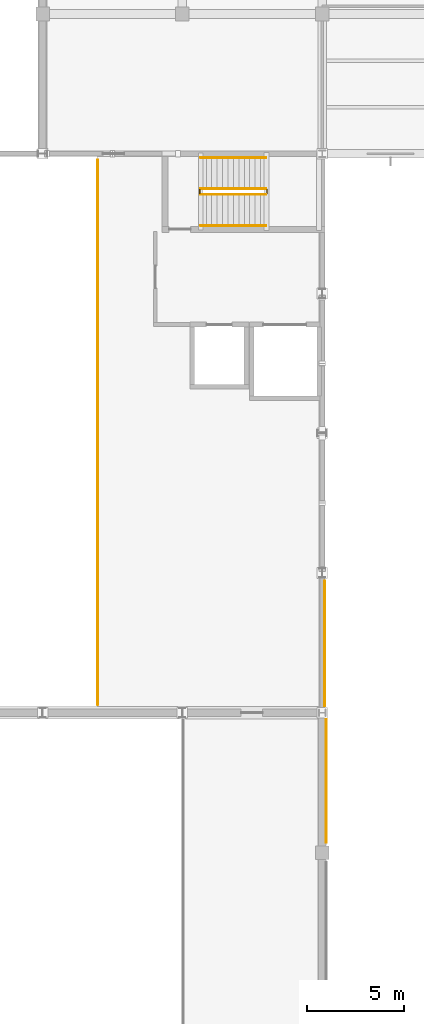
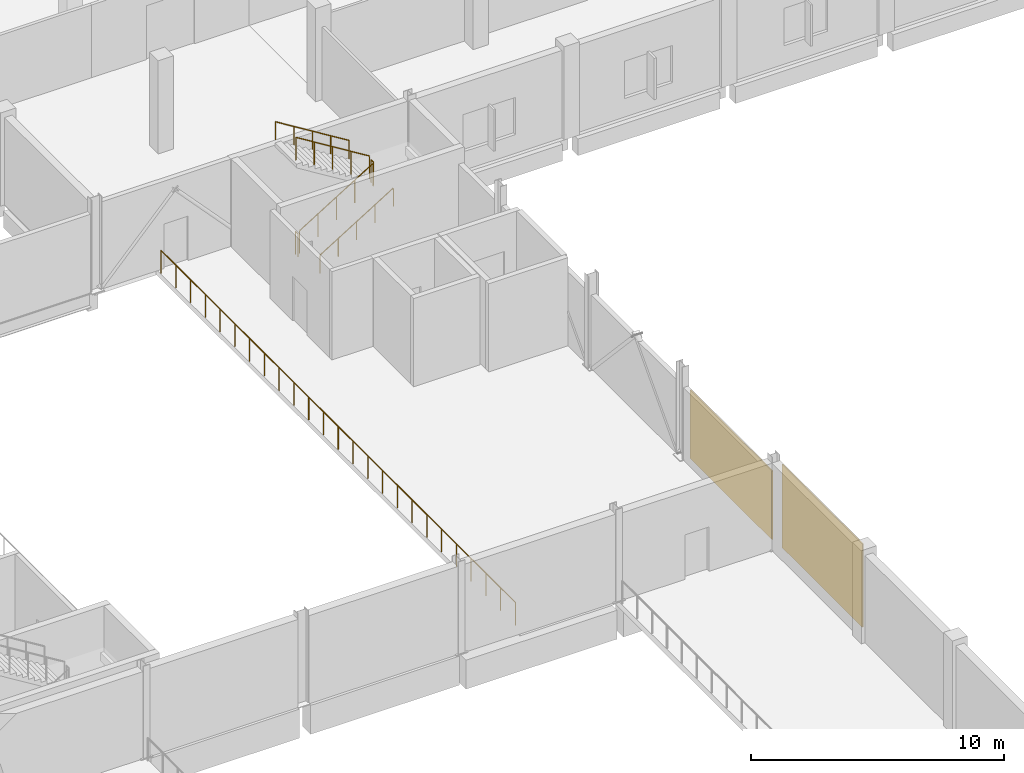
# One storey, part 105 of 108: 7 railings, 2 coverings.
"""IFC4 building model written with IfcOpenShell, lengths in metres."""

import ifcopenshell
import ifcopenshell.guid

model = None  # the IFC model being written
_history = None  # IfcOwnerHistory: only IFC2X3 demands one
_inside = {}  # id of a spatial element -> (the spatial element, [elements in it])
_under = {}  # id of a project, library or spatial element -> (it, [spatial elements below it])
_declared = {}  # id of a project -> (the project, [libraries it declares])
_typed = {}  # id of a type object -> (the type object, [elements of that type])
_made_of = {}  # id of a material, layer set ... -> (it, [elements and type objects made of it])


def new_model(schema):
    """Start an empty IFC model of exactly this schema.

    Asked for "IFC4X3", IfcOpenShell would pick the latest addendum, in which some entities
    have other attributes; the version numbers below select the first issue.
    IFC2X3 requires an IfcOwnerHistory on every rooted entity: one is made here for all.
    """
    global model, _history
    if schema == "IFC4X3":
        model = ifcopenshell.file(schema_version=(4, 3, 0, 0))
    else:
        model = ifcopenshell.file(schema=schema)
    _inside.clear()
    _under.clear()
    _declared.clear()
    _typed.clear()
    _made_of.clear()
    _history = None
    if model.schema == "IFC2X3":
        org = make("IfcOrganization", Name="unknown")
        user = make(
            "IfcPersonAndOrganization",
            ThePerson=make("IfcPerson", FamilyName="unknown"),
            TheOrganization=org,
        )
        app = make(
            "IfcApplication",
            ApplicationDeveloper=org,
            Version="unknown",
            ApplicationFullName="unknown",
            ApplicationIdentifier="unknown",
        )
        _history = make(
            "IfcOwnerHistory",
            OwningUser=user,
            OwningApplication=app,
            ChangeAction="ADDED",
            CreationDate=0,
        )
    return model


def make(cls, **values):
    """One entity of the class cls with the attributes given. An attribute that is None is left unset."""
    return model.create_entity(
        cls, **{name: value for name, value in values.items() if value is not None}
    )


def rooted(cls, **values):
    """An entity with a GlobalId (a new one), such as an element, a storey or a relation."""
    return make(cls, GlobalId=ifcopenshell.guid.new(), OwnerHistory=_history, **values)


def si_unit(unit_type, name, prefix=None):
    """IfcSIUnit, for example si_unit("LENGTHUNIT", "METRE", prefix="MILLI")."""
    return make("IfcSIUnit", UnitType=unit_type, Prefix=prefix, Name=name)


def assignment(units):
    """IfcUnitAssignment: the units of a project."""
    return None if units is None else make("IfcUnitAssignment", Units=units)


def point(xyz):
    """IfcCartesianPoint."""
    return None if xyz is None else make("IfcCartesianPoint", Coordinates=xyz)


def direction(xyz):
    """IfcDirection."""
    return None if xyz is None else make("IfcDirection", DirectionRatios=xyz)


def frame(location, z_axis=None, x_axis=None):
    """IfcAxis2Placement3D, a coordinate frame: its origin and axes. An axis left out is left unset."""
    return make(
        "IfcAxis2Placement3D",
        Location=point(location),
        Axis=direction(z_axis),
        RefDirection=direction(x_axis),
    )


def frame_2d(location, x_axis=None):
    """IfcAxis2Placement2D, a coordinate frame in the plane: its origin and x axis."""
    return make(
        "IfcAxis2Placement2D", Location=point(location), RefDirection=direction(x_axis)
    )


def origin():
    """The frame at (0, 0, 0) with its axes left unset."""
    return frame((0.0, 0.0, 0.0))


def origin_2d():
    """The frame at (0, 0) in the plane with its x axis left unset."""
    return frame_2d((0.0, 0.0))


def place(relative_to, where):
    """IfcLocalPlacement: puts the frame where relative to a parent placement (None: the world)."""
    return make(
        "IfcLocalPlacement", PlacementRelTo=relative_to, RelativePlacement=where
    )


def context(
    kind, dimensions, precision=None, world=None, true_north=None, identifier=None
):
    """IfcGeometricRepresentationContext, for example the 3D "Model" context."""
    return make(
        "IfcGeometricRepresentationContext",
        ContextIdentifier=identifier,
        ContextType=kind,
        CoordinateSpaceDimension=dimensions,
        Precision=precision,
        WorldCoordinateSystem=world,
        TrueNorth=true_north,
    )


def subcontext(parent, identifier, kind, view, scale=None):
    """IfcGeometricRepresentationSubContext, for example "Body" below "Model"."""
    return make(
        "IfcGeometricRepresentationSubContext",
        ContextIdentifier=identifier,
        ContextType=kind,
        ParentContext=parent,
        TargetScale=scale,
        TargetView=view,
    )


def project(units=None, contexts=None):
    """IfcProject with its units and contexts."""
    return rooted(
        "IfcProject",
        Name="project",
        RepresentationContexts=contexts,
        UnitsInContext=assignment(units),
    )


def spatial(cls, under=None, at=None, **own):
    """A site, building, storey or space (cls), placed at a placement, below another one or the project."""
    s = rooted(cls, ObjectPlacement=at, **own)
    if under is not None:
        _under.setdefault(under.id(), (under, []))[1].append(s)
    return s


def profile(cls, at=None, kind="AREA", **sizes):
    """A parametric profile (cls). Its sizes go by their IFC names, for example OverallWidth=200.0."""
    return make(cls, ProfileType=kind, Position=at, **sizes)


def rectangle(**sizes):
    """IfcRectangleProfileDef."""
    return profile("IfcRectangleProfileDef", **sizes)


def circle(**sizes):
    """IfcCircleProfileDef."""
    return profile("IfcCircleProfileDef", **sizes)


def extrude(swept, where, along, depth):
    """IfcExtrudedAreaSolid: the profile swept, set in the frame where, extruded along a direction by depth."""
    return make(
        "IfcExtrudedAreaSolid",
        SweptArea=swept,
        Position=where,
        ExtrudedDirection=direction(along),
        Depth=depth,
    )


def shape(context_of_items, identifier, shape_type, items):
    """IfcShapeRepresentation: the items that make up one representation, for example the "Body"."""
    return make(
        "IfcShapeRepresentation",
        ContextOfItems=context_of_items,
        RepresentationIdentifier=identifier,
        RepresentationType=shape_type,
        Items=items,
    )


def material(Name=None, Category=None):
    """IfcMaterial."""
    return make("IfcMaterial", Name=Name, Category=Category)


def layer(
    of_material, thickness, ventilated=None, Name=None, Category=None, Priority=None
):
    """IfcMaterialLayer: one layer of a wall or slab, of a material (None: an air gap)."""
    return make(
        "IfcMaterialLayer",
        Material=of_material,
        LayerThickness=thickness,
        IsVentilated=ventilated,
        Name=Name,
        Category=Category,
        Priority=Priority,
    )


def layer_set(layers, Name=None):
    """IfcMaterialLayerSet."""
    return make("IfcMaterialLayerSet", MaterialLayers=layers, LayerSetName=Name)


def made_of(thing, what):
    """Note that an element or type object is made of a material, layer set ...; save() writes the relation."""
    if what is not None:
        _made_of.setdefault(what.id(), (what, []))[1].append(thing)
    return thing


def type_object(cls, material=None, **own):
    """A type object (cls), such as IfcWallType, which elements share."""
    return made_of(rooted(cls, **own), material)


def element(
    cls,
    number,
    at=None,
    inside=None,
    cuts=None,
    type_object=None,
    material=None,
    context=None,
    identifier="Body",
    shape_type=None,
    held_by="IfcProductDefinitionShape",
    body=None,
    shapes=None,
    **own,
):
    """One element of the class cls, such as IfcWall. Its Tag is "e" and its number.

    at: its placement. inside: the storey or other place that contains it. cuts: it is an
    opening in that element (IfcRelVoidsElement). A single representation is given by context,
    identifier, shape_type and body (its items); several are given by shapes. held_by: the class
    of the entity that holds the representations. save() writes the other relations.
    """
    e = rooted(cls, Tag="e%d" % number, ObjectPlacement=at, **own)
    if body is not None:
        shapes = [shape(context, identifier, shape_type, body)]
    if shapes is not None:
        e.Representation = make(held_by, Representations=shapes)
    if inside is not None:
        _inside.setdefault(inside.id(), (inside, []))[1].append(e)
    if cuts is not None:
        rooted(
            "IfcRelVoidsElement", RelatingBuildingElement=cuts, RelatedOpeningElement=e
        )
    if type_object is not None:
        _typed.setdefault(type_object.id(), (type_object, []))[1].append(e)
    return made_of(e, material)


def aggregate(whole, parts):
    """IfcRelAggregates: a whole, such as a stair, and the parts it consists of."""
    return rooted("IfcRelAggregates", RelatingObject=whole, RelatedObjects=parts)


def save(model, path):
    """Write the relations noted so far, then the file.

    IfcRelAggregates (storeys below a building ...), IfcRelContainedInSpatialStructure (elements
    in a storey), IfcRelDefinesByType, IfcRelAssociatesMaterial and IfcRelDeclares: one each for
    every whole, place, type object, material and project.
    """
    for whole, parts in _under.values():
        aggregate(whole, parts)
    for where, things in _inside.values():
        rooted(
            "IfcRelContainedInSpatialStructure",
            RelatedElements=things,
            RelatingStructure=where,
        )
    for kind, things in _typed.values():
        rooted("IfcRelDefinesByType", RelatedObjects=things, RelatingType=kind)
    for what, things in _made_of.values():
        rooted("IfcRelAssociatesMaterial", RelatedObjects=things, RelatingMaterial=what)
    for by, libraries in _declared.values():
        rooted("IfcRelDeclares", RelatingContext=by, RelatedDefinitions=libraries)
    model.write(path)


model = new_model("IFC4")

# Units and contexts
model_context = context("Model", 3, precision=1e-05, world=origin(), true_north=direction((0.0, 1.0)))
body_context = subcontext(model_context, "Body", "Model", "MODEL_VIEW")
ifc_project = project(units=[si_unit("LENGTHUNIT", "METRE"), si_unit("AREAUNIT", "SQUARE_METRE"), si_unit("VOLUMEUNIT", "CUBIC_METRE"), si_unit("PLANEANGLEUNIT", "RADIAN"), si_unit("MASSUNIT", "GRAM", prefix="KILO"), si_unit("THERMODYNAMICTEMPERATUREUNIT", "KELVIN"), si_unit("POWERUNIT", "WATT")], contexts=[model_context])

# Site, building, storey
site_placement = place(None, origin())
site = spatial("IfcSite", under=ifc_project, at=site_placement, CompositionType="ELEMENT")
building_placement = place(site_placement, origin())
building = spatial("IfcBuilding", under=site, at=building_placement, Name="Kaldorven Railside Theatre", CompositionType="ELEMENT")
storey_placement = place(building_placement, frame((0.0, 0.0, 5.39990234375)))
storey = spatial("IfcBuildingStorey", under=building, at=storey_placement, Name="L01", CompositionType="ELEMENT", Elevation=5.39990234375)

# Coverings
ifc_material_1 = material(Name="Bush-hammered precast concrete C40/50", Category="concrete")
ifc_layer = layer(ifc_material_1, 0.050048828125, Name="Bush-hammered precast concrete C40/50")
ifc_layer_set = layer_set([ifc_layer], Name="Bush-hammered precast concrete C40/50")
covering_type = type_object("IfcCoveringType", Name="COV-CLD-01", PredefinedType="CLADDING", material=ifc_layer_set)
covering_1_placement = place(storey_placement, frame((123.410888671875, 80.48193359375, 0.10009765625), z_axis=(0.0, 0.0, 1.0), x_axis=(0.0, -1.0, 0.0)))
element("IfcCovering", 1, at=covering_1_placement, inside=storey, type_object=covering_type, Name="Bush-Hammered Laterite Rainscreen Panel CLD-007", PredefinedType="CLADDING", context=body_context, shape_type="SweptSolid", body=[
    extrude(rectangle(XDim=6.364013671875, YDim=0.050048828125, at=origin_2d()), origin(), (0.0, 0.0, 1.0), 4.02001953125),
])
covering_2_placement = place(storey_placement, frame((123.3310546875, 87.568115234375, 0.10009765625), z_axis=(0.0, 0.0, 1.0), x_axis=(0.0, -1.0, 0.0)))
element("IfcCovering", 2, at=covering_2_placement, inside=storey, type_object=covering_type, Name="Bush-Hammered Laterite Rainscreen Panel CLD-036", PredefinedType="CLADDING", context=body_context, shape_type="SweptSolid", body=[
    extrude(rectangle(XDim=6.464111328125, YDim=0.050048828125, at=origin_2d()), origin(), (0.0, 0.0, 1.0), 3.31494140625),
])

# Railings
ifc_material_2 = material(Name="Anodised bronze aluminium", Category="aluminium")
railing_type_1 = type_object("IfcRailingType", Name="RLG-BAL-1100", PredefinedType="BALUSTRADE", material=ifc_material_2)
railing_1_placement = place(storey_placement, frame((111.639892578125, 84.419921875, 0.0)))
element("IfcRailing", 3, at=railing_1_placement, inside=storey, type_object=railing_type_1, Name="L01 Safety Balustrade GR-040", PredefinedType="BALUSTRADE", context=body_context, shape_type="SweptSolid", body=[
    extrude(circle(Radius=0.02392578125, at=origin_2d()), frame((0.0, 0.0, 1.09619140625), z_axis=(0.0, 1.0, 0.0), x_axis=(-1.0, 0.0, 0.0)), (0.0, 0.0, 1.0), 28.050048828125),
    extrude(circle(Radius=0.02099609375, at=origin_2d()), origin(), (0.0, 0.0, 1.0), 1.072021484375),
    extrude(circle(Radius=0.02099609375, at=origin_2d()), frame((0.0, 1.168701171875, 0.0)), (0.0, 0.0, 1.0), 1.072021484375),
    extrude(circle(Radius=0.02099609375, at=origin_2d()), frame((0.0, 2.33740234375, 0.0)), (0.0, 0.0, 1.0), 1.072021484375),
    extrude(circle(Radius=0.02099609375, at=origin_2d()), frame((0.0, 3.50634765625, 0.0)), (0.0, 0.0, 1.0), 1.072021484375),
    extrude(circle(Radius=0.02099609375, at=origin_2d()), frame((0.0, 4.675048828125, 0.0)), (0.0, 0.0, 1.0), 1.072021484375),
    extrude(circle(Radius=0.02099609375, at=origin_2d()), frame((0.0, 5.84375, 0.0)), (0.0, 0.0, 1.0), 1.072021484375),
    extrude(circle(Radius=0.02099609375, at=origin_2d()), frame((0.0, 7.012451171875, 0.0)), (0.0, 0.0, 1.0), 1.072021484375),
    extrude(circle(Radius=0.02099609375, at=origin_2d()), frame((0.0, 8.18115234375, 0.0)), (0.0, 0.0, 1.0), 1.072021484375),
    extrude(circle(Radius=0.02099609375, at=origin_2d()), frame((0.0, 9.35009765625, 0.0)), (0.0, 0.0, 1.0), 1.072021484375),
    extrude(circle(Radius=0.02099609375, at=origin_2d()), frame((0.0, 10.518798828125, 0.0)), (0.0, 0.0, 1.0), 1.072021484375),
    extrude(circle(Radius=0.02099609375, at=origin_2d()), frame((0.0, 11.6875, 0.0)), (0.0, 0.0, 1.0), 1.072021484375),
    extrude(circle(Radius=0.02099609375, at=origin_2d()), frame((0.0, 12.856201171875, 0.0)), (0.0, 0.0, 1.0), 1.072021484375),
    extrude(circle(Radius=0.02099609375, at=origin_2d()), frame((0.0, 14.02490234375, 0.0)), (0.0, 0.0, 1.0), 1.072021484375),
    extrude(circle(Radius=0.02099609375, at=origin_2d()), frame((0.0, 15.19384765625, 0.0)), (0.0, 0.0, 1.0), 1.072021484375),
    extrude(circle(Radius=0.02099609375, at=origin_2d()), frame((0.0, 16.362548828125, 0.0)), (0.0, 0.0, 1.0), 1.072021484375),
    extrude(circle(Radius=0.02099609375, at=origin_2d()), frame((0.0, 17.53125, 0.0)), (0.0, 0.0, 1.0), 1.072021484375),
    extrude(circle(Radius=0.02099609375, at=origin_2d()), frame((0.0, 18.699951171875, 0.0)), (0.0, 0.0, 1.0), 1.072021484375),
    extrude(circle(Radius=0.02099609375, at=origin_2d()), frame((0.0, 19.868896484375, 0.0)), (0.0, 0.0, 1.0), 1.072021484375),
    extrude(circle(Radius=0.02099609375, at=origin_2d()), frame((0.0, 21.03759765625, 0.0)), (0.0, 0.0, 1.0), 1.072021484375),
    extrude(circle(Radius=0.02099609375, at=origin_2d()), frame((0.0, 22.206298828125, 0.0)), (0.0, 0.0, 1.0), 1.072021484375),
    extrude(circle(Radius=0.02099609375, at=origin_2d()), frame((0.0, 23.375, 0.0)), (0.0, 0.0, 1.0), 1.072021484375),
    extrude(circle(Radius=0.02099609375, at=origin_2d()), frame((0.0, 24.543701171875, 0.0)), (0.0, 0.0, 1.0), 1.072021484375),
    extrude(circle(Radius=0.02099609375, at=origin_2d()), frame((0.0, 25.712646484375, 0.0)), (0.0, 0.0, 1.0), 1.072021484375),
    extrude(circle(Radius=0.02099609375, at=origin_2d()), frame((0.0, 26.88134765625, 0.0)), (0.0, 0.0, 1.0), 1.072021484375),
    extrude(circle(Radius=0.02099609375, at=origin_2d()), frame((0.0, 28.050048828125, 0.0)), (0.0, 0.0, 1.0), 1.072021484375),
])
ifc_material_3 = material(Name="Steel S355", Category="steel")
railing_type_2 = type_object("IfcRailingType", Name="RLG-STG-1100", PredefinedType="BALUSTRADE", material=ifc_material_3)
railing_2_placement = place(storey_placement, frame((116.949951171875, 110.699951171875, 0.173095703125)))
element("IfcRailing", 4, at=railing_2_placement, inside=storey, type_object=railing_type_2, Name="L01 ST-06 stair guard 1", PredefinedType="BALUSTRADE", context=body_context, shape_type="SweptSolid", body=[
    extrude(circle(Radius=0.02392578125, at=origin_2d()), frame((0.0, 0.0, 1.09619140625), z_axis=(0.850623216509, 0.0, 0.525775754039), x_axis=(0.0, 1.0, 0.0)), (0.0, 0.0, 1.0), 3.9501953125),
    extrude(circle(Radius=0.02099609375, at=origin_2d()), origin(), (0.0, 0.0, 1.0), 1.072021484375),
    extrude(circle(Radius=0.02099609375, at=origin_2d()), frame((0.840087890625, 0.0, 0.519287109375)), (0.0, 0.0, 1.0), 1.072021484375),
    extrude(circle(Radius=0.02099609375, at=origin_2d()), frame((1.68017578125, 0.0, 1.03857421875)), (0.0, 0.0, 1.0), 1.072021484375),
    extrude(circle(Radius=0.02099609375, at=origin_2d()), frame((2.52001953125, 0.0, 1.5576171875)), (0.0, 0.0, 1.0), 1.072021484375),
    extrude(circle(Radius=0.02099609375, at=origin_2d()), frame((3.360107421875, 0.0, 2.076904296875)), (0.0, 0.0, 1.0), 1.072021484375),
])
railing_3_placement = place(storey_placement, frame((120.360107421875, 110.75, 2.25)))
element("IfcRailing", 5, at=railing_3_placement, inside=storey, type_object=railing_type_2, Name="L01 ST-06 stair guard 2", PredefinedType="BALUSTRADE", context=body_context, shape_type="SweptSolid", body=[
    extrude(circle(Radius=0.02392578125, at=origin_2d()), frame((0.0, 0.0, 1.09619140625), z_axis=(0.0, 1.0, 0.0), x_axis=(-1.0, 0.0, 0.0)), (0.0, 0.0, 1.0), 0.199951171875),
    extrude(circle(Radius=0.02099609375, at=origin_2d()), origin(), (0.0, 0.0, 1.0), 1.072021484375),
    extrude(circle(Radius=0.02099609375, at=origin_2d()), frame((0.0, 0.199951171875, 0.0)), (0.0, 0.0, 1.0), 1.072021484375),
])
railing_4_placement = place(storey_placement, frame((120.31005859375, 111.0, 2.423095703125)))
element("IfcRailing", 6, at=railing_4_placement, inside=storey, type_object=railing_type_2, Name="L01 ST-06 stair guard 3", PredefinedType="BALUSTRADE", context=body_context, shape_type="SweptSolid", body=[
    extrude(circle(Radius=0.02392578125, at=origin_2d()), frame((0.0, 0.0, 1.09619140625), z_axis=(-0.850623216509, 0.0, 0.525775754039), x_axis=(0.0, -1.0, 0.0)), (0.0, 0.0, 1.0), 3.9501953125),
    extrude(circle(Radius=0.02099609375, at=origin_2d()), origin(), (0.0, 0.0, 1.0), 1.072021484375),
    extrude(circle(Radius=0.02099609375, at=origin_2d()), frame((-0.840087890625, 0.0, 0.519287109375)), (0.0, 0.0, 1.0), 1.072021484375),
    extrude(circle(Radius=0.02099609375, at=origin_2d()), frame((-1.68017578125, 0.0, 1.03857421875)), (0.0, 0.0, 1.0), 1.072021484375),
    extrude(circle(Radius=0.02099609375, at=origin_2d()), frame((-2.52001953125, 0.0, 1.5576171875)), (0.0, 0.0, 1.0), 1.072021484375),
    extrude(circle(Radius=0.02099609375, at=origin_2d()), frame((-3.360107421875, 0.0, 2.076904296875)), (0.0, 0.0, 1.0), 1.072021484375),
])
railing_5_placement = place(storey_placement, frame((116.89990234375, 110.75, 0.0)))
element("IfcRailing", 7, at=railing_5_placement, inside=storey, type_object=railing_type_2, Name="L01 ST-06 stair guard 4", PredefinedType="BALUSTRADE", context=body_context, shape_type="SweptSolid", body=[
    extrude(circle(Radius=0.02392578125, at=origin_2d()), frame((0.0, 0.0, 1.09619140625), z_axis=(0.0, 1.0, 0.0), x_axis=(-1.0, 0.0, 0.0)), (0.0, 0.0, 1.0), 0.199951171875),
    extrude(circle(Radius=0.02099609375, at=origin_2d()), origin(), (0.0, 0.0, 1.0), 1.072021484375),
    extrude(circle(Radius=0.02099609375, at=origin_2d()), frame((0.0, 0.199951171875, 0.0)), (0.0, 0.0, 1.0), 1.072021484375),
])
railing_type_3 = type_object("IfcRailingType", Name="RLG-STH-900", PredefinedType="HANDRAIL", material=ifc_material_3)
railing_6_placement = place(storey_placement, frame((116.949951171875, 109.10009765625, 0.173095703125)))
element("IfcRailing", 8, at=railing_6_placement, inside=storey, type_object=railing_type_3, Name="L01 ST-06 stair handrail 1", PredefinedType="HANDRAIL", context=body_context, shape_type="SweptSolid", body=[
    extrude(circle(Radius=0.02392578125, at=origin_2d()), frame((0.0, 0.0, 0.8759765625), z_axis=(0.850623216509, 0.0, 0.525775754039), x_axis=(0.0, 1.0, 0.0)), (0.0, 0.0, 1.0), 3.9501953125),
    extrude(circle(Radius=0.02099609375, at=origin_2d()), origin(), (0.0, 0.0, 1.0), 0.851806640625),
    extrude(circle(Radius=0.02099609375, at=origin_2d()), frame((0.840087890625, 0.0, 0.519287109375)), (0.0, 0.0, 1.0), 0.851806640625),
    extrude(circle(Radius=0.02099609375, at=origin_2d()), frame((1.68017578125, 0.0, 1.03857421875)), (0.0, 0.0, 1.0), 0.851806640625),
    extrude(circle(Radius=0.02099609375, at=origin_2d()), frame((2.52001953125, 0.0, 1.5576171875)), (0.0, 0.0, 1.0), 0.851806640625),
    extrude(circle(Radius=0.02099609375, at=origin_2d()), frame((3.360107421875, 0.0, 2.076904296875)), (0.0, 0.0, 1.0), 0.851806640625),
])
railing_7_placement = place(storey_placement, frame((120.31005859375, 112.60009765625, 2.423095703125)))
element("IfcRailing", 9, at=railing_7_placement, inside=storey, type_object=railing_type_3, Name="L01 ST-06 stair handrail 2", PredefinedType="HANDRAIL", context=body_context, shape_type="SweptSolid", body=[
    extrude(circle(Radius=0.02392578125, at=origin_2d()), frame((0.0, 0.0, 0.8759765625), z_axis=(-0.850623216509, 0.0, 0.525775754039), x_axis=(0.0, -1.0, 0.0)), (0.0, 0.0, 1.0), 3.9501953125),
    extrude(circle(Radius=0.02099609375, at=origin_2d()), origin(), (0.0, 0.0, 1.0), 0.851806640625),
    extrude(circle(Radius=0.02099609375, at=origin_2d()), frame((-0.840087890625, 0.0, 0.519287109375)), (0.0, 0.0, 1.0), 0.851806640625),
    extrude(circle(Radius=0.02099609375, at=origin_2d()), frame((-1.68017578125, 0.0, 1.03857421875)), (0.0, 0.0, 1.0), 0.851806640625),
    extrude(circle(Radius=0.02099609375, at=origin_2d()), frame((-2.52001953125, 0.0, 1.5576171875)), (0.0, 0.0, 1.0), 0.851806640625),
    extrude(circle(Radius=0.02099609375, at=origin_2d()), frame((-3.360107421875, 0.0, 2.076904296875)), (0.0, 0.0, 1.0), 0.851806640625),
])

save(model, "model.ifc")
